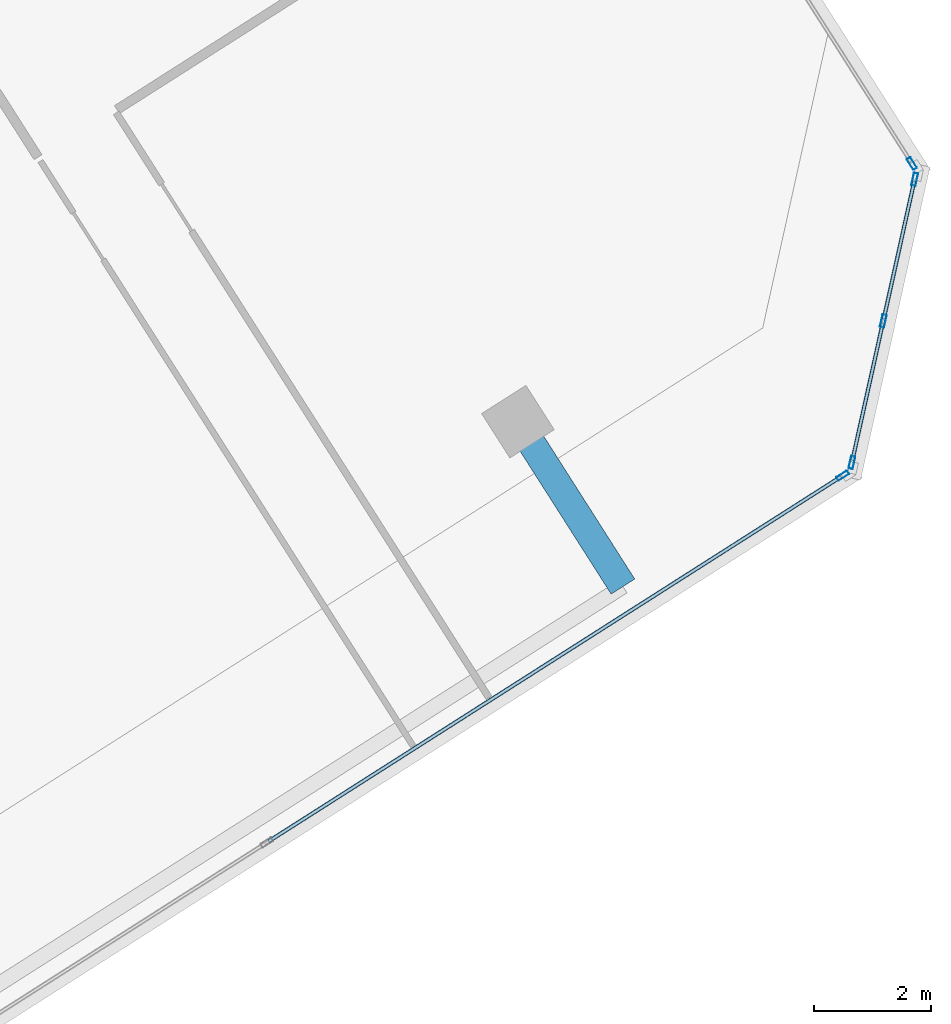
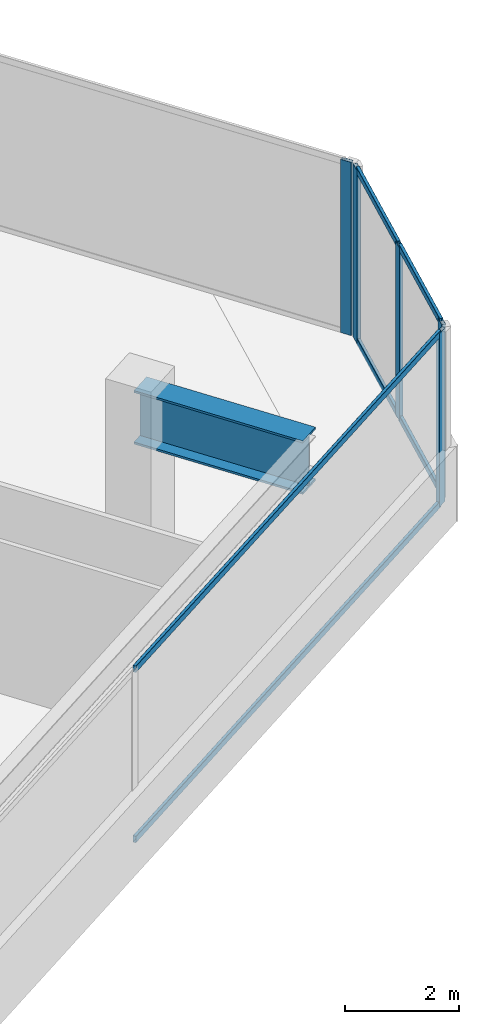
# One storey, part 6 of 15: 11 members, 1 beam, 3 elements without a shape of their own.
"""IFC4 building model written with IfcOpenShell, lengths in metres."""

from ifc_helpers import new_model, si_unit, direction, frame, origin, origin_2d, place, context, subcontext, project, spatial, hollow_rectangle, i_section, extrude, source, transform, mapped, material, material_profile, profile_set, type_object, element, aggregate, save


model = new_model("IFC4")

# Units and contexts
model_context = context("Model", 3, precision=1e-05, world=origin(), true_north=direction((0.0, 1.0)))
body_context = subcontext(model_context, "Body", "Model", "MODEL_VIEW")
ifc_project = project(units=[si_unit("LENGTHUNIT", "METRE"), si_unit("AREAUNIT", "SQUARE_METRE"), si_unit("VOLUMEUNIT", "CUBIC_METRE"), si_unit("PLANEANGLEUNIT", "RADIAN"), si_unit("MASSUNIT", "GRAM", prefix="KILO")], contexts=[model_context])

# Site, building, storey
site_placement = place(None, origin())
site = spatial("IfcSite", under=ifc_project, at=site_placement, CompositionType="ELEMENT")
building_placement = place(site_placement, origin())
building = spatial("IfcBuilding", under=site, at=building_placement, Name="Torre Montelarca", CompositionType="ELEMENT")
storey_placement = place(building_placement, frame((0.0, 0.0, 311.39990234375)))
storey = spatial("IfcBuildingStorey", under=building, at=storey_placement, Name="L70", CompositionType="ELEMENT", Elevation=311.39990234375)

# Beam
ifc_material_1 = material(Name="Steel ASTM A572 Grade 50", Category="steel")
ifc_material_profile_1 = material_profile(ifc_material_1, i_section(OverallWidth=0.47998046875, OverallDepth=1.14990234375, WebThickness=0.02197265625, FlangeThickness=0.044921875, at=origin_2d()), Name="PG1150X480X22X45", Category="steel")
ifc_profile_set_1 = profile_set([ifc_material_profile_1], Name="Steel ASTM A572 Grade 50")
beam_type = type_object("IfcBeamType", Name="BM-CG-PG1400-EXT", PredefinedType="USERDEFINED", material=ifc_profile_set_1)
shared_shape_1 = source(origin(), body_context, "Body", "SweptSolid", [
    extrude(i_section(OverallWidth=0.47998046875, OverallDepth=1.14990234375, WebThickness=0.02197265625, FlangeThickness=0.044921875, at=origin_2d()), origin(), (0.0, 0.0, 1.0), 3.349853515625),
])
beam_placement = place(storey_placement, frame((36.0380859375, 24.069091796875, 3.385009765625), z_axis=(0.537290429262, -0.843397293465, 0.0), x_axis=(0.843397293465, 0.537290429262, 0.0)))
element("IfcBeam", 1, at=beam_placement, inside=storey, type_object=beam_type, Name="L70 Sliding Tray Cantilever Girder East Y=40m (FLR)", ObjectType="CANTILEVER GIRDER", PredefinedType="USERDEFINED", context=body_context, shape_type="MappedRepresentation", body=[
    mapped(shared_shape_1, transform((0.0, 0.0, 0.0), scale=1.0)),
])

# Curtain wall, member
ifc_material_2 = material(Name="Insulated low-E laminated glass", Category="glass")
curtain_wall_type = type_object("IfcCurtainWallType", Name="CW-SYS-Z4", PredefinedType="USERDEFINED", material=ifc_material_2)
curtain_wall_1_placement = place(storey_placement, origin())
curtain_wall_1 = element("IfcCurtainWall", 2, at=curtain_wall_1_placement, inside=storey, type_object=curtain_wall_type, Name="L70 Curtain Wall Run CW-T3-L70-E06-B1", ObjectType="UNITISED GLAZING", PredefinedType="USERDEFINED")
ifc_material_3 = material(Name="Anodised aluminium AA 6063-T6", Category="aluminium")
ifc_material_profile_2 = material_profile(ifc_material_3, hollow_rectangle(XDim=0.074951171875, YDim=0.219970703125, WallThickness=0.0048828125, InnerFilletRadius=0.0048828125, OuterFilletRadius=0.010009765625, at=origin_2d()), Name="ALU75X220X5", Category="aluminium")
ifc_profile_set_2 = profile_set([ifc_material_profile_2], Name="Anodised aluminium AA 6063-T6")
member_type_1 = type_object("IfcMemberType", Name="CWM-ALU220", PredefinedType="MULLION", material=ifc_profile_set_2)
shared_shape_2 = source(origin(), body_context, "Body", "SweptSolid", [
    extrude(hollow_rectangle(XDim=0.074951171875, YDim=0.219970703125, WallThickness=0.0048828125, InnerFilletRadius=0.0048828125, OuterFilletRadius=0.010009765625, at=origin_2d()), origin(), (0.0, 0.0, 1.0), 3.72021484375),
])
member_1_placement = place(storey_placement, frame((41.60302734375, 23.14453125, 0.0), z_axis=(0.0, 0.0, 1.0), x_axis=(-0.537301679311, 0.84339012646, 0.0)))
member_1 = element("IfcMember", 3, at=member_1_placement, type_object=member_type_1, Name="CW mullion 3", PredefinedType="MULLION", context=body_context, shape_type="MappedRepresentation", body=[
    mapped(shared_shape_2, transform((0.0, 0.0, 0.0), scale=1.0)),
])

# Curtain wall, members
curtain_wall_2_placement = place(storey_placement, origin())
curtain_wall_2 = element("IfcCurtainWall", 4, at=curtain_wall_2_placement, inside=storey, type_object=curtain_wall_type, Name="L70 Curtain Wall Run CW-T3-L70-E07-B1", ObjectType="UNITISED GLAZING", PredefinedType="USERDEFINED")
member_2_placement = place(storey_placement, frame((41.761474609375, 23.37060546875, 0.0), z_axis=(0.0, 0.0, 1.0), x_axis=(-0.976295196425, 0.216443270716, 0.0)))
member_2 = element("IfcMember", 5, at=member_2_placement, type_object=member_type_1, Name="CW mullion 1", PredefinedType="MULLION", context=body_context, shape_type="MappedRepresentation", body=[
    mapped(shared_shape_2, transform((0.0, 0.0, 0.0), scale=1.0)),
])
member_3_placement = place(storey_placement, frame((42.299072265625, 25.795654296875, 0.0), z_axis=(0.0, 0.0, 1.0), x_axis=(-0.976295196425, 0.216443270716, 0.0)))
member_3 = element("IfcMember", 6, at=member_3_placement, type_object=member_type_1, Name="CW mullion 2", PredefinedType="MULLION", context=body_context, shape_type="MappedRepresentation", body=[
    mapped(shared_shape_2, transform((0.0, 0.0, 0.0), scale=1.0)),
])
member_4_placement = place(storey_placement, frame((42.836669921875, 28.220458984375, 0.0), z_axis=(0.0, 0.0, 1.0), x_axis=(-0.976295196425, 0.216443270716, 0.0)))
member_4 = element("IfcMember", 7, at=member_4_placement, type_object=member_type_1, Name="CW mullion 3", PredefinedType="MULLION", context=body_context, shape_type="MappedRepresentation", body=[
    mapped(shared_shape_2, transform((0.0, 0.0, 0.0), scale=1.0)),
])

# Curtain wall, member
curtain_wall_3_placement = place(storey_placement, origin())
curtain_wall_3 = element("IfcCurtainWall", 8, at=curtain_wall_3_placement, inside=storey, type_object=curtain_wall_type, Name="L70 Curtain Wall Run CW-T3-L70-E08-B1", ObjectType="UNITISED GLAZING", PredefinedType="USERDEFINED")
member_5_placement = place(storey_placement, frame((42.78857421875, 28.492431640625, 0.0), z_axis=(0.0, 0.0, 1.0), x_axis=(-0.843391094882, -0.537300159197, 0.0)))
member_5 = element("IfcMember", 9, at=member_5_placement, type_object=member_type_1, Name="CW mullion 1", PredefinedType="MULLION", context=body_context, shape_type="MappedRepresentation", body=[
    mapped(shared_shape_2, transform((0.0, 0.0, 0.0), scale=1.0)),
])
aggregate(curtain_wall_3, [member_5])

# Member
ifc_material_profile_3 = material_profile(ifc_material_3, hollow_rectangle(XDim=0.06494140625, YDim=0.139892578125, WallThickness=0.00390625, InnerFilletRadius=0.00390625, OuterFilletRadius=0.008056640625, at=origin_2d()), Name="ALU65X140X4", Category="aluminium")
ifc_profile_set_3 = profile_set([ifc_material_profile_3], Name="Anodised aluminium AA 6063-T6")
member_type_2 = type_object("IfcMemberType", Name="CWT-ALU140", PredefinedType="USERDEFINED", material=ifc_profile_set_3)
shared_shape_3 = source(origin(), body_context, "Body", "SweptSolid", [
    extrude(hollow_rectangle(XDim=0.06494140625, YDim=0.139892578125, WallThickness=0.00390625, InnerFilletRadius=0.00390625, OuterFilletRadius=0.008056640625, at=origin_2d()), origin(), (0.0, 0.0, 1.0), 2.40869140625),
])
member_6_placement = place(storey_placement, frame((42.30712890625, 25.832275390625, 0.03271484375), z_axis=(0.216404544516, 0.976303781163, 0.0), x_axis=(-0.976303781163, 0.216404544516, 0.0)))
member_6 = element("IfcMember", 10, at=member_6_placement, type_object=member_type_2, Name="CW transom 2.1", ObjectType="TRANSOM", PredefinedType="USERDEFINED", context=body_context, shape_type="MappedRepresentation", body=[
    mapped(shared_shape_3, transform((0.0, 0.0, 0.0), scale=1.0)),
])

member_7_placement = place(storey_placement, frame((42.30712890625, 25.832275390625, 3.6875), z_axis=(0.216404544516, 0.976303781163, 0.0), x_axis=(-0.976303781163, 0.216404544516, 0.0)))
member_7 = element("IfcMember", 11, at=member_7_placement, type_object=member_type_2, Name="CW transom 2.2", ObjectType="TRANSOM", PredefinedType="USERDEFINED", context=body_context, shape_type="MappedRepresentation", body=[
    mapped(shared_shape_3, transform((0.0, 0.0, 0.0), scale=1.0)),
])

shared_shape_4 = source(origin(), body_context, "Body", "SweptSolid", [
    extrude(hollow_rectangle(XDim=0.06494140625, YDim=0.139892578125, WallThickness=0.00390625, InnerFilletRadius=0.00390625, OuterFilletRadius=0.008056640625, at=origin_2d()), origin(), (0.0, 0.0, 1.0), 11.621826171875),
])
member_8_placement = place(storey_placement, frame((31.769775390625, 16.880126953125, 0.03271484375), z_axis=(0.843392367588, 0.537298161447, 0.0), x_axis=(-0.537298161447, 0.843392367588, 0.0)))
member_8 = element("IfcMember", 12, at=member_8_placement, type_object=member_type_2, Name="CW transom 2.1", ObjectType="TRANSOM", PredefinedType="USERDEFINED", context=body_context, shape_type="MappedRepresentation", body=[
    mapped(shared_shape_4, transform((0.0, 0.0, 0.0), scale=1.0)),
])

member_9_placement = place(storey_placement, frame((31.769775390625, 16.880126953125, 3.6875), z_axis=(0.843392367588, 0.537298161447, 0.0), x_axis=(-0.537298161447, 0.843392367588, 0.0)))
member_9 = element("IfcMember", 13, at=member_9_placement, type_object=member_type_2, Name="CW transom 2.2", ObjectType="TRANSOM", PredefinedType="USERDEFINED", context=body_context, shape_type="MappedRepresentation", body=[
    mapped(shared_shape_4, transform((0.0, 0.0, 0.0), scale=1.0)),
])

aggregate(curtain_wall_1, [member_1, member_8, member_9])

shared_shape_5 = source(origin(), body_context, "Body", "SweptSolid", [
    extrude(hollow_rectangle(XDim=0.06494140625, YDim=0.139892578125, WallThickness=0.00390625, InnerFilletRadius=0.00390625, OuterFilletRadius=0.008056640625, at=origin_2d()), origin(), (0.0, 0.0, 1.0), 2.408935546875),
])
member_10_placement = place(storey_placement, frame((41.76953125, 23.4072265625, 0.03271484375), z_axis=(0.216383131496, 0.976308527262, 0.0), x_axis=(-0.976308527262, 0.216383131496, 0.0)))
member_10 = element("IfcMember", 14, at=member_10_placement, type_object=member_type_2, Name="CW transom 1.1", ObjectType="TRANSOM", PredefinedType="USERDEFINED", context=body_context, shape_type="MappedRepresentation", body=[
    mapped(shared_shape_5, transform((0.0, 0.0, 0.0), scale=1.0)),
])

member_11_placement = place(storey_placement, frame((41.76953125, 23.4072265625, 3.6875), z_axis=(0.216383131496, 0.976308527262, 0.0), x_axis=(-0.976308527262, 0.216383131496, 0.0)))
member_11 = element("IfcMember", 15, at=member_11_placement, type_object=member_type_2, Name="CW transom 1.2", ObjectType="TRANSOM", PredefinedType="USERDEFINED", context=body_context, shape_type="MappedRepresentation", body=[
    mapped(shared_shape_5, transform((0.0, 0.0, 0.0), scale=1.0)),
])

aggregate(curtain_wall_2, [member_2, member_3, member_4, member_10, member_11, member_6, member_7])

save(model, "model.ifc")
